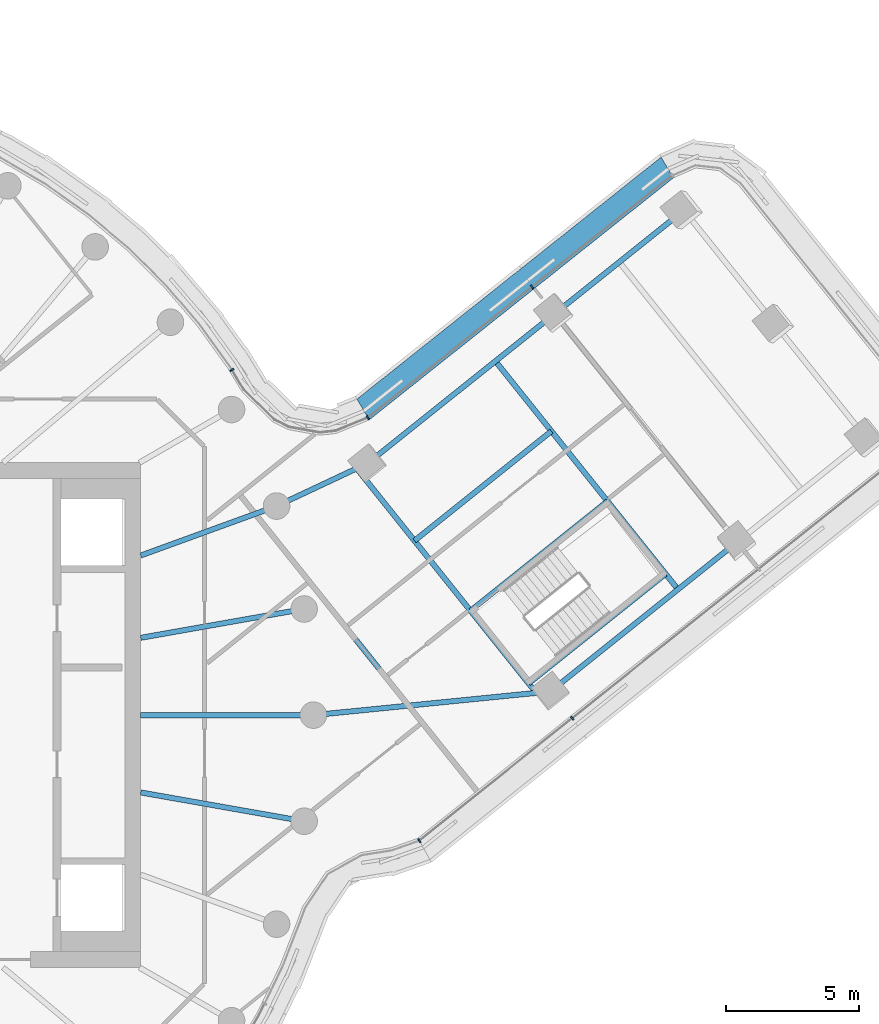
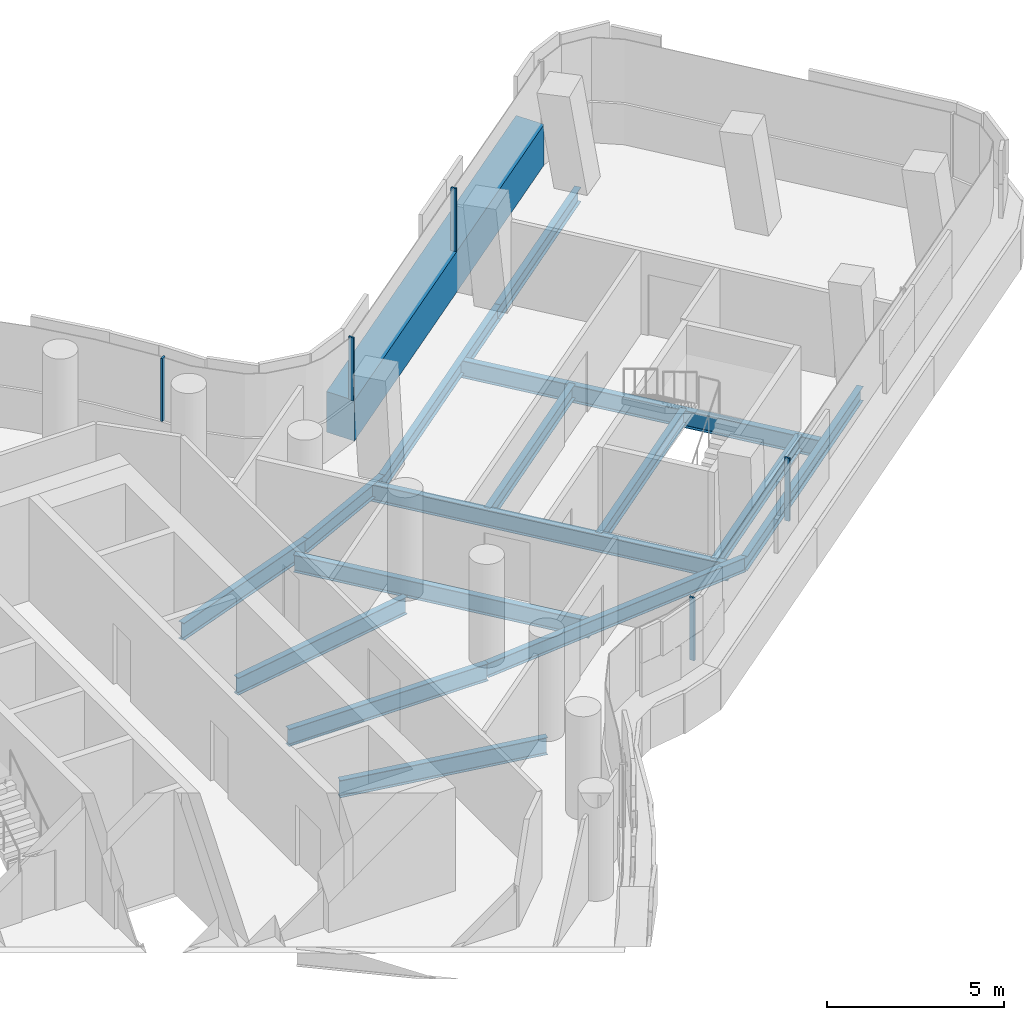
# One storey, part 11 of 31: 15 beams, 6 members, 3 elements without a shape of their own.
"""IFC4 building model written with IfcOpenShell, lengths in metres."""

import ifcopenshell
import ifcopenshell.guid

model = None  # the IFC model being written
_history = None  # IfcOwnerHistory: only IFC2X3 demands one
_inside = {}  # id of a spatial element -> (the spatial element, [elements in it])
_under = {}  # id of a project, library or spatial element -> (it, [spatial elements below it])
_declared = {}  # id of a project -> (the project, [libraries it declares])
_typed = {}  # id of a type object -> (the type object, [elements of that type])
_made_of = {}  # id of a material, layer set ... -> (it, [elements and type objects made of it])


def new_model(schema):
    """Start an empty IFC model of exactly this schema.

    Asked for "IFC4X3", IfcOpenShell would pick the latest addendum, in which some entities
    have other attributes; the version numbers below select the first issue.
    IFC2X3 requires an IfcOwnerHistory on every rooted entity: one is made here for all.
    """
    global model, _history
    if schema == "IFC4X3":
        model = ifcopenshell.file(schema_version=(4, 3, 0, 0))
    else:
        model = ifcopenshell.file(schema=schema)
    _inside.clear()
    _under.clear()
    _declared.clear()
    _typed.clear()
    _made_of.clear()
    _history = None
    if model.schema == "IFC2X3":
        org = make("IfcOrganization", Name="unknown")
        user = make(
            "IfcPersonAndOrganization",
            ThePerson=make("IfcPerson", FamilyName="unknown"),
            TheOrganization=org,
        )
        app = make(
            "IfcApplication",
            ApplicationDeveloper=org,
            Version="unknown",
            ApplicationFullName="unknown",
            ApplicationIdentifier="unknown",
        )
        _history = make(
            "IfcOwnerHistory",
            OwningUser=user,
            OwningApplication=app,
            ChangeAction="ADDED",
            CreationDate=0,
        )
    return model


def make(cls, **values):
    """One entity of the class cls with the attributes given. An attribute that is None is left unset."""
    return model.create_entity(
        cls, **{name: value for name, value in values.items() if value is not None}
    )


def rooted(cls, **values):
    """An entity with a GlobalId (a new one), such as an element, a storey or a relation."""
    return make(cls, GlobalId=ifcopenshell.guid.new(), OwnerHistory=_history, **values)


def si_unit(unit_type, name, prefix=None):
    """IfcSIUnit, for example si_unit("LENGTHUNIT", "METRE", prefix="MILLI")."""
    return make("IfcSIUnit", UnitType=unit_type, Prefix=prefix, Name=name)


def assignment(units):
    """IfcUnitAssignment: the units of a project."""
    return None if units is None else make("IfcUnitAssignment", Units=units)


def point(xyz):
    """IfcCartesianPoint."""
    return None if xyz is None else make("IfcCartesianPoint", Coordinates=xyz)


def direction(xyz):
    """IfcDirection."""
    return None if xyz is None else make("IfcDirection", DirectionRatios=xyz)


def frame(location, z_axis=None, x_axis=None):
    """IfcAxis2Placement3D, a coordinate frame: its origin and axes. An axis left out is left unset."""
    return make(
        "IfcAxis2Placement3D",
        Location=point(location),
        Axis=direction(z_axis),
        RefDirection=direction(x_axis),
    )


def frame_2d(location, x_axis=None):
    """IfcAxis2Placement2D, a coordinate frame in the plane: its origin and x axis."""
    return make(
        "IfcAxis2Placement2D", Location=point(location), RefDirection=direction(x_axis)
    )


def origin():
    """The frame at (0, 0, 0) with its axes left unset."""
    return frame((0.0, 0.0, 0.0))


def origin_2d():
    """The frame at (0, 0) in the plane with its x axis left unset."""
    return frame_2d((0.0, 0.0))


def place(relative_to, where):
    """IfcLocalPlacement: puts the frame where relative to a parent placement (None: the world)."""
    return make(
        "IfcLocalPlacement", PlacementRelTo=relative_to, RelativePlacement=where
    )


def context(
    kind, dimensions, precision=None, world=None, true_north=None, identifier=None
):
    """IfcGeometricRepresentationContext, for example the 3D "Model" context."""
    return make(
        "IfcGeometricRepresentationContext",
        ContextIdentifier=identifier,
        ContextType=kind,
        CoordinateSpaceDimension=dimensions,
        Precision=precision,
        WorldCoordinateSystem=world,
        TrueNorth=true_north,
    )


def subcontext(parent, identifier, kind, view, scale=None):
    """IfcGeometricRepresentationSubContext, for example "Body" below "Model"."""
    return make(
        "IfcGeometricRepresentationSubContext",
        ContextIdentifier=identifier,
        ContextType=kind,
        ParentContext=parent,
        TargetScale=scale,
        TargetView=view,
    )


def project(units=None, contexts=None):
    """IfcProject with its units and contexts."""
    return rooted(
        "IfcProject",
        Name="project",
        RepresentationContexts=contexts,
        UnitsInContext=assignment(units),
    )


def spatial(cls, under=None, at=None, **own):
    """A site, building, storey or space (cls), placed at a placement, below another one or the project."""
    s = rooted(cls, ObjectPlacement=at, **own)
    if under is not None:
        _under.setdefault(under.id(), (under, []))[1].append(s)
    return s


def polyline(points):
    """IfcPolyline through the points."""
    return make("IfcPolyline", Points=[point(p) for p in points])


def profile(cls, at=None, kind="AREA", **sizes):
    """A parametric profile (cls). Its sizes go by their IFC names, for example OverallWidth=200.0."""
    return make(cls, ProfileType=kind, Position=at, **sizes)


def rectangle(**sizes):
    """IfcRectangleProfileDef."""
    return profile("IfcRectangleProfileDef", **sizes)


def i_section(**sizes):
    """IfcIShapeProfileDef."""
    return profile("IfcIShapeProfileDef", **sizes)


def outline(outer, holes=None, kind="AREA"):
    """IfcArbitraryClosedProfileDef: a profile drawn as a closed curve; with holes, ...WithVoids."""
    if holes is None:
        return make("IfcArbitraryClosedProfileDef", ProfileType=kind, OuterCurve=outer)
    return make(
        "IfcArbitraryProfileDefWithVoids",
        ProfileType=kind,
        OuterCurve=outer,
        InnerCurves=holes,
    )


def extrude(swept, where, along, depth):
    """IfcExtrudedAreaSolid: the profile swept, set in the frame where, extruded along a direction by depth."""
    return make(
        "IfcExtrudedAreaSolid",
        SweptArea=swept,
        Position=where,
        ExtrudedDirection=direction(along),
        Depth=depth,
    )


def shape(context_of_items, identifier, shape_type, items):
    """IfcShapeRepresentation: the items that make up one representation, for example the "Body"."""
    return make(
        "IfcShapeRepresentation",
        ContextOfItems=context_of_items,
        RepresentationIdentifier=identifier,
        RepresentationType=shape_type,
        Items=items,
    )


def material(Name=None, Category=None):
    """IfcMaterial."""
    return make("IfcMaterial", Name=Name, Category=Category)


def layer(
    of_material, thickness, ventilated=None, Name=None, Category=None, Priority=None
):
    """IfcMaterialLayer: one layer of a wall or slab, of a material (None: an air gap)."""
    return make(
        "IfcMaterialLayer",
        Material=of_material,
        LayerThickness=thickness,
        IsVentilated=ventilated,
        Name=Name,
        Category=Category,
        Priority=Priority,
    )


def layer_set(layers, Name=None):
    """IfcMaterialLayerSet."""
    return make("IfcMaterialLayerSet", MaterialLayers=layers, LayerSetName=Name)


def material_profile(
    of_material, cross_section, Name=None, Category=None, Priority=None
):
    """IfcMaterialProfile: a cross section and its material."""
    return make(
        "IfcMaterialProfile",
        Name=Name,
        Material=of_material,
        Profile=cross_section,
        Priority=Priority,
        Category=Category,
    )


def profile_set(profiles, Name=None, composite=None):
    """IfcMaterialProfileSet."""
    return make(
        "IfcMaterialProfileSet",
        Name=Name,
        MaterialProfiles=profiles,
        CompositeProfile=composite,
    )


def made_of(thing, what):
    """Note that an element or type object is made of a material, layer set ...; save() writes the relation."""
    if what is not None:
        _made_of.setdefault(what.id(), (what, []))[1].append(thing)
    return thing


def type_object(cls, material=None, **own):
    """A type object (cls), such as IfcWallType, which elements share."""
    return made_of(rooted(cls, **own), material)


def element(
    cls,
    number,
    at=None,
    inside=None,
    cuts=None,
    type_object=None,
    material=None,
    context=None,
    identifier="Body",
    shape_type=None,
    held_by="IfcProductDefinitionShape",
    body=None,
    shapes=None,
    **own,
):
    """One element of the class cls, such as IfcWall. Its Tag is "e" and its number.

    at: its placement. inside: the storey or other place that contains it. cuts: it is an
    opening in that element (IfcRelVoidsElement). A single representation is given by context,
    identifier, shape_type and body (its items); several are given by shapes. held_by: the class
    of the entity that holds the representations. save() writes the other relations.
    """
    e = rooted(cls, Tag="e%d" % number, ObjectPlacement=at, **own)
    if body is not None:
        shapes = [shape(context, identifier, shape_type, body)]
    if shapes is not None:
        e.Representation = make(held_by, Representations=shapes)
    if inside is not None:
        _inside.setdefault(inside.id(), (inside, []))[1].append(e)
    if cuts is not None:
        rooted(
            "IfcRelVoidsElement", RelatingBuildingElement=cuts, RelatedOpeningElement=e
        )
    if type_object is not None:
        _typed.setdefault(type_object.id(), (type_object, []))[1].append(e)
    return made_of(e, material)


def aggregate(whole, parts):
    """IfcRelAggregates: a whole, such as a stair, and the parts it consists of."""
    return rooted("IfcRelAggregates", RelatingObject=whole, RelatedObjects=parts)


def save(model, path):
    """Write the relations noted so far, then the file.

    IfcRelAggregates (storeys below a building ...), IfcRelContainedInSpatialStructure (elements
    in a storey), IfcRelDefinesByType, IfcRelAssociatesMaterial and IfcRelDeclares: one each for
    every whole, place, type object, material and project.
    """
    for whole, parts in _under.values():
        aggregate(whole, parts)
    for where, things in _inside.values():
        rooted(
            "IfcRelContainedInSpatialStructure",
            RelatedElements=things,
            RelatingStructure=where,
        )
    for kind, things in _typed.values():
        rooted("IfcRelDefinesByType", RelatedObjects=things, RelatingType=kind)
    for what, things in _made_of.values():
        rooted("IfcRelAssociatesMaterial", RelatedObjects=things, RelatingMaterial=what)
    for by, libraries in _declared.values():
        rooted("IfcRelDeclares", RelatingContext=by, RelatedDefinitions=libraries)
    model.write(path)


model = new_model("IFC4")

# Units and contexts
model_context = context("Model", 3, precision=1e-05, world=origin(), true_north=direction((0.0, 1.0)))
body_context = subcontext(model_context, "Body", "Model", "MODEL_VIEW")
ifc_project = project(units=[si_unit("LENGTHUNIT", "METRE"), si_unit("AREAUNIT", "SQUARE_METRE"), si_unit("VOLUMEUNIT", "CUBIC_METRE"), si_unit("PLANEANGLEUNIT", "RADIAN"), si_unit("MASSUNIT", "GRAM", prefix="KILO")], contexts=[model_context])

# Site, building, storey
site_placement = place(None, origin())
site = spatial("IfcSite", under=ifc_project, at=site_placement, CompositionType="ELEMENT")
building_placement = place(site_placement, origin())
building = spatial("IfcBuilding", under=site, at=building_placement, Name="Tamarind Cross Interchange Tower", CompositionType="ELEMENT")
storey_placement = place(building_placement, frame((0.0, 0.0, 174.25)))
storey = spatial("IfcBuildingStorey", under=building, at=storey_placement, Name="L43", CompositionType="ELEMENT", Elevation=174.25)

# Beams
ifc_material_1 = material(Name="Steel Q355B", Category="steel")
ifc_material_profile_1 = material_profile(ifc_material_1, i_section(OverallWidth=0.198974609375, OverallDepth=0.49609375, WebThickness=0.009033203125, FlangeThickness=0.013916015625, FilletRadius=0.012939453125, at=origin_2d()), Name="HN 496x199x9x14")
ifc_profile_set_1 = profile_set([ifc_material_profile_1], Name="Steel Q355B")
beam_type_1 = type_object("IfcBeamType", Name="Composite beam HN 496x199x9x14 Q355B", PredefinedType="BEAM", material=ifc_profile_set_1)
beam_1_placement = place(storey_placement, frame((38.945068359375, 6.51171875, -0.387939453125), z_axis=(-0.780903213158, -0.624652040483, 0.0), x_axis=(0.624652040483, -0.780903213158, 0.0)))
element("IfcBeam", 1, at=beam_1_placement, inside=storey, type_object=beam_type_1, Name="Beam E-edgeem6", PredefinedType="BEAM", context=body_context, shape_type="SweptSolid", body=[
    extrude(i_section(OverallWidth=0.198974609375, OverallDepth=0.49609375, WebThickness=0.009033203125, FlangeThickness=0.013916015625, FilletRadius=0.012939453125, at=origin_2d()), origin(), (0.0, 0.0, 1.0), 9.0),
])
beam_2_placement = place(storey_placement, frame((36.943359375, 18.996826171875, -0.387939453125), z_axis=(-0.780903184631, -0.624652076145, 0.0), x_axis=(0.624652076145, -0.780903184631, 0.0)))
element("IfcBeam", 2, at=beam_2_placement, inside=storey, type_object=beam_type_1, Name="Beam E-edgeep2", PredefinedType="BEAM", context=body_context, shape_type="SweptSolid", body=[
    extrude(i_section(OverallWidth=0.198974609375, OverallDepth=0.49609375, WebThickness=0.009033203125, FlangeThickness=0.013916015625, FilletRadius=0.012939453125, at=origin_2d()), origin(), (0.0, 0.0, 1.0), 6.23583984375),
])
beam_3_placement = place(storey_placement, frame((32.07373046875, 15.1015625, -0.387939453125), z_axis=(-0.780903213158, -0.624652040483, 0.0), x_axis=(0.624652040483, -0.780903213158, 0.0)))
element("IfcBeam", 3, at=beam_3_placement, inside=storey, type_object=beam_type_1, Name="Beam E-edgeep3", PredefinedType="BEAM", context=body_context, shape_type="SweptSolid", body=[
    extrude(i_section(OverallWidth=0.198974609375, OverallDepth=0.49609375, WebThickness=0.009033203125, FlangeThickness=0.013916015625, FilletRadius=0.012939453125, at=origin_2d()), origin(), (0.0, 0.0, 1.0), 9.0),
])
beam_4_placement = place(storey_placement, frame((31.9169921875, 0.889892578125, -0.387939453125), z_axis=(-0.995057131085, -0.099304108061, 0.0), x_axis=(0.099304108061, -0.995057131085, 0.0)))
element("IfcBeam", 4, at=beam_4_placement, inside=storey, type_object=beam_type_1, Name="Beam E-linkem", PredefinedType="BEAM", context=body_context, shape_type="SweptSolid", body=[
    extrude(i_section(OverallWidth=0.198974609375, OverallDepth=0.49609375, WebThickness=0.009033203125, FlangeThickness=0.013916015625, FilletRadius=0.012939453125, at=origin_2d()), origin(), (0.0, 0.0, 1.0), 8.961181640625),
])
beam_5_placement = place(storey_placement, frame((25.045654296875, 9.479736328125, -0.387939453125), z_axis=(-0.905028657614, -0.425350595271, 0.0), x_axis=(0.425350595271, -0.905028657614, 0.0)))
element("IfcBeam", 5, at=beam_5_placement, inside=storey, type_object=beam_type_1, Name="Beam E-linkep", PredefinedType="BEAM", context=body_context, shape_type="SweptSolid", body=[
    extrude(i_section(OverallWidth=0.198974609375, OverallDepth=0.49609375, WebThickness=0.009033203125, FlangeThickness=0.013916015625, FilletRadius=0.012939453125, at=origin_2d()), origin(), (0.0, 0.0, 1.0), 3.792724609375),
])
for number, where, z_axis, x_axis, name in (
    (6, (31.09716796875, 1.1943359375, -0.387939453125), (0.780886853666, 0.624672491608, 0.0), (-0.624672491608, 0.780886853666, 0.0), "Beam E-tr0"),
    (7, (28.910888671875, 3.927490234375, -0.387939453125), (0.780886853666, 0.624672491608, 0.0), (-0.624672491608, 0.780886853666, 0.0), "Beam E-tr1"),
):
    element("IfcBeam", number, at=place(storey_placement, frame(where, z_axis=z_axis, x_axis=x_axis)), inside=storey, type_object=beam_type_1, Name=name, PredefinedType="BEAM", context=body_context, shape_type="SweptSolid", body=[
        extrude(i_section(OverallWidth=0.198974609375, OverallDepth=0.49609375, WebThickness=0.009033203125, FlangeThickness=0.013916015625, FilletRadius=0.012939453125, at=origin_2d()), origin(), (0.0, 0.0, 1.0), 6.599853515625),
    ])
beam_6_placement = place(storey_placement, frame((26.802490234375, 6.56298828125, -0.387939453125), z_axis=(0.780901287637, 0.624654447649, 0.0), x_axis=(-0.624654447649, 0.780901287637, 0.0)))
element("IfcBeam", 8, at=beam_6_placement, inside=storey, type_object=beam_type_1, Name="Beam E-stripp", PredefinedType="BEAM", context=body_context, shape_type="SweptSolid", body=[
    extrude(i_section(OverallWidth=0.198974609375, OverallDepth=0.49609375, WebThickness=0.009033203125, FlangeThickness=0.013916015625, FilletRadius=0.012939453125, at=origin_2d()), origin(), (0.0, 0.0, 1.0), 6.60009765625),
])
ifc_material_profile_2 = material_profile(ifc_material_1, i_section(OverallWidth=0.198974609375, OverallDepth=0.595947265625, WebThickness=0.010009765625, FlangeThickness=0.014892578125, FilletRadius=0.012939453125, at=origin_2d()), Name="HN 596x199x10x15")
ifc_profile_set_2 = profile_set([ifc_material_profile_2], Name="Steel Q355B")
beam_type_2 = type_object("IfcBeamType", Name="Composite beam HN 596x199x10x15 Q355B", PredefinedType="BEAM", material=ifc_profile_set_2)
beam_7_placement = place(storey_placement, frame((23.0, 0.0, -0.43798828125), z_axis=(-1.0, 0.0, 0.0), x_axis=(0.0, -1.0, 0.0)))
element("IfcBeam", 9, at=beam_7_placement, inside=storey, type_object=beam_type_2, Name="Beam HH00", PredefinedType="BEAM", context=body_context, shape_type="SweptSolid", body=[
    extrude(i_section(OverallWidth=0.198974609375, OverallDepth=0.595947265625, WebThickness=0.010009765625, FlangeThickness=0.014892578125, FilletRadius=0.012939453125, at=origin_2d()), origin(), (0.0, 0.0, 1.0), 6.5),
])
beam_8_placement = place(storey_placement, frame((22.650634765625, 3.993896484375, -0.43798828125), z_axis=(-0.984809127561, -0.173640382036, 0.0), x_axis=(0.173640382036, -0.984809127561, 0.0)))
element("IfcBeam", 10, at=beam_8_placement, inside=storey, type_object=beam_type_2, Name="Beam HH01", PredefinedType="BEAM", context=body_context, shape_type="SweptSolid", body=[
    extrude(i_section(OverallWidth=0.198974609375, OverallDepth=0.595947265625, WebThickness=0.010009765625, FlangeThickness=0.014892578125, FilletRadius=0.012939453125, at=origin_2d()), origin(), (0.0, 0.0, 1.0), 6.24560546875),
])
beam_9_placement = place(storey_placement, frame((21.613037109375, 7.866455078125, -0.43798828125), z_axis=(-0.939701685589, -0.341995236956, 0.0), x_axis=(0.341995236956, -0.939701685589, 0.0)))
element("IfcBeam", 11, at=beam_9_placement, inside=storey, type_object=beam_type_2, Name="Beam HH02", PredefinedType="BEAM", context=body_context, shape_type="SweptSolid", body=[
    extrude(i_section(OverallWidth=0.198974609375, OverallDepth=0.595947265625, WebThickness=0.010009765625, FlangeThickness=0.014892578125, FilletRadius=0.012939453125, at=origin_2d()), origin(), (0.0, 0.0, 1.0), 5.441162109375),
])
beam_10_placement = place(storey_placement, frame((22.650634765625, -3.993896484375, -0.43798828125), z_axis=(-0.984809127561, 0.173640382036, 0.0), x_axis=(-0.173640382036, -0.984809127561, 0.0)))
element("IfcBeam", 12, at=beam_10_placement, inside=storey, type_object=beam_type_2, Name="Beam HH35", PredefinedType="BEAM", context=body_context, shape_type="SweptSolid", body=[
    extrude(i_section(OverallWidth=0.198974609375, OverallDepth=0.595947265625, WebThickness=0.010009765625, FlangeThickness=0.014892578125, FilletRadius=0.012939453125, at=origin_2d()), origin(), (0.0, 0.0, 1.0), 6.24560546875),
])
ifc_material_profile_3 = material_profile(ifc_material_1, i_section(OverallWidth=0.199951171875, OverallDepth=0.60009765625, WebThickness=0.010986328125, FlangeThickness=0.01708984375, FilletRadius=0.012939453125, at=origin_2d()), Name="HN 600x200x11x17")
ifc_profile_set_3 = profile_set([ifc_material_profile_3], Name="Steel Q355B")
beam_type_3 = type_object("IfcBeamType", Name="Composite beam HN 600x200x11x17 Q355B", PredefinedType="BEAM", material=ifc_profile_set_3)
beam_11_placement = place(storey_placement, frame((31.38330078125, 0.836669921875, -0.43994140625), z_axis=(-0.624667519897, 0.780890830773, 0.0), x_axis=(-0.780890830773, -0.624667519897, 0.0)))
element("IfcBeam", 13, at=beam_11_placement, inside=storey, type_object=beam_type_3, Name="Beam E-x298", PredefinedType="BEAM", context=body_context, shape_type="SweptSolid", body=[
    extrude(i_section(OverallWidth=0.199951171875, OverallDepth=0.60009765625, WebThickness=0.010986328125, FlangeThickness=0.01708984375, FilletRadius=0.012939453125, at=origin_2d()), origin(), (0.0, 0.0, 1.0), 10.81591796875),
])
beam_12_placement = place(storey_placement, frame((36.719482421875, 4.7314453125, -0.43994140625), z_axis=(-0.62466527394, 0.780892627404, 0.0), x_axis=(-0.780892627404, -0.62466527394, 0.0)))
element("IfcBeam", 14, at=beam_12_placement, inside=storey, type_object=beam_type_3, Name="Beam E-x364", PredefinedType="BEAM", context=body_context, shape_type="SweptSolid", body=[
    extrude(i_section(OverallWidth=0.199951171875, OverallDepth=0.60009765625, WebThickness=0.010986328125, FlangeThickness=0.01708984375, FilletRadius=0.012939453125, at=origin_2d()), origin(), (0.0, 0.0, 1.0), 11.0),
])
beam_13_placement = place(storey_placement, frame((26.580322265625, 0.357177734375, -0.43994140625), z_axis=(-0.624665163991, 0.780892715356, 0.0), x_axis=(-0.780892715356, -0.624665163991, 0.0)))
element("IfcBeam", 15, at=beam_13_placement, inside=storey, type_object=beam_type_3, Name="Beam E-x258", PredefinedType="BEAM", context=body_context, shape_type="SweptSolid", body=[
    extrude(i_section(OverallWidth=0.199951171875, OverallDepth=0.60009765625, WebThickness=0.010986328125, FlangeThickness=0.01708984375, FilletRadius=0.012939453125, at=origin_2d()), origin(), (0.0, 0.0, 1.0), 8.966796875),
])

# Curtain wall, member
ifc_material_2 = material(Name="Aluminium 6063-T6", Category="aluminium")
ifc_layer = layer(ifc_material_2, 0.159912109375)
ifc_layer_set = layer_set([ifc_layer], Name="Aluminium 6063-T6")
curtain_wall_type = type_object("IfcCurtainWallType", Name="Office curtain wall, 9.0 m bays", PredefinedType="NOTDEFINED", material=ifc_layer_set)
curtain_wall_1_placement = place(storey_placement, origin())
curtain_wall_1 = element("IfcCurtainWall", 16, at=curtain_wall_1_placement, inside=storey, type_object=curtain_wall_type, Name="CWS-L43-09", PredefinedType="NOTDEFINED")
ifc_material_3 = material(Name="Aluminium and insulated spandrel panel", Category="aluminium")
member_type_1 = type_object("IfcMemberType", Name="Floor-edge blade transom", PredefinedType="USERDEFINED", material=ifc_material_3)
member_1_placement = place(storey_placement, origin())
member_1 = element("IfcMember", 17, at=member_1_placement, type_object=member_type_1, Name="CWT-L43-09", ObjectType="TRANSOM", PredefinedType="USERDEFINED", context=body_context, shape_type="SweptSolid", body=[
    extrude(outline(polyline([(36.551025390625, 20.219970703125), (25.097900390625, 11.109375), (24.637451171875, 11.893310546875), (36.08251953125, 20.997314453125), (36.551025390625, 20.219970703125)])), origin(), (0.0, 0.0, 1.0), 1.39990234375),
])

# Curtain wall, members
curtain_wall_2_placement = place(storey_placement, origin())
curtain_wall_2 = element("IfcCurtainWall", 18, at=curtain_wall_2_placement, inside=storey, type_object=curtain_wall_type, Name="CWS-L43-07", PredefinedType="NOTDEFINED")
ifc_material_profile_4 = material_profile(ifc_material_2, rectangle(XDim=0.06005859375, YDim=0.159912109375, at=origin_2d()), Name="Mullion CW1")
ifc_profile_set_4 = profile_set([ifc_material_profile_4], Name="Aluminium 6063-T6")
member_type_2 = type_object("IfcMemberType", Name="Mullion CW1", PredefinedType="MULLION", material=ifc_profile_set_4)
member_2_placement = place(storey_placement, frame((26.983154296875, -4.721923828125, 1.39990234375), z_axis=(0.0, 0.0, 1.0), x_axis=(0.874032356617, 0.485867718197, 0.0)))
member_2 = element("IfcMember", 19, at=member_2_placement, type_object=member_type_2, Name="CWM-L43-07-00", PredefinedType="MULLION", context=body_context, shape_type="SweptSolid", body=[
    extrude(rectangle(XDim=0.06005859375, YDim=0.159912109375, at=origin_2d()), origin(), (0.0, 0.0, 1.0), 2.170166015625),
])
member_3_placement = place(storey_placement, frame((32.740478515625, -0.1162109375, 1.39990234375), z_axis=(0.0, 0.0, 1.0), x_axis=(0.780892885425, 0.624664951388, 0.0)))
member_3 = element("IfcMember", 20, at=member_3_placement, type_object=member_type_2, Name="CWM-L43-07-01", PredefinedType="MULLION", context=body_context, shape_type="SweptSolid", body=[
    extrude(rectangle(XDim=0.06005859375, YDim=0.159912109375, at=origin_2d()), origin(), (0.0, 0.0, 1.0), 2.170166015625),
])
aggregate(curtain_wall_2, [member_2, member_3])

# Member
member_4_placement = place(storey_placement, frame((31.228515625, 16.114013671875, 1.39990234375), z_axis=(0.0, 0.0, 1.0), x_axis=(-0.782599684666, -0.622525287487, 0.0)))
member_4 = element("IfcMember", 21, at=member_4_placement, type_object=member_type_2, Name="CWM-L43-09-01", PredefinedType="MULLION", context=body_context, shape_type="SweptSolid", body=[
    extrude(rectangle(XDim=0.06005859375, YDim=0.159912109375, at=origin_2d()), origin(), (0.0, 0.0, 1.0), 2.170166015625),
])

aggregate(curtain_wall_1, [member_4, member_1])

# Curtain wall, members
curtain_wall_3_placement = place(storey_placement, origin())
curtain_wall_3 = element("IfcCurtainWall", 22, at=curtain_wall_3_placement, inside=storey, type_object=curtain_wall_type, Name="CWS-L43-10", PredefinedType="NOTDEFINED")
member_5_placement = place(storey_placement, frame((25.046630859375, 11.196533203125, 1.39990234375), z_axis=(0.0, 0.0, 1.0), x_axis=(-0.86230593355, -0.506387674577, 0.0)))
member_5 = element("IfcMember", 23, at=member_5_placement, type_object=member_type_2, Name="CWM-L43-10-00", PredefinedType="MULLION", context=body_context, shape_type="SweptSolid", body=[
    extrude(rectangle(XDim=0.06005859375, YDim=0.159912109375, at=origin_2d()), origin(), (0.0, 0.0, 1.0), 2.170166015625),
])
member_6_placement = place(storey_placement, frame((19.932373046875, 12.989501953125, 1.39990234375), z_axis=(0.0, 0.0, 1.0), x_axis=(-0.519183719505, 0.854662661757, 0.0)))
member_6 = element("IfcMember", 24, at=member_6_placement, type_object=member_type_2, Name="CWM-L43-10-01", PredefinedType="MULLION", context=body_context, shape_type="SweptSolid", body=[
    extrude(rectangle(XDim=0.06005859375, YDim=0.159912109375, at=origin_2d()), origin(), (0.0, 0.0, 1.0), 2.170166015625),
])
aggregate(curtain_wall_3, [member_5, member_6])

save(model, "model.ifc")
